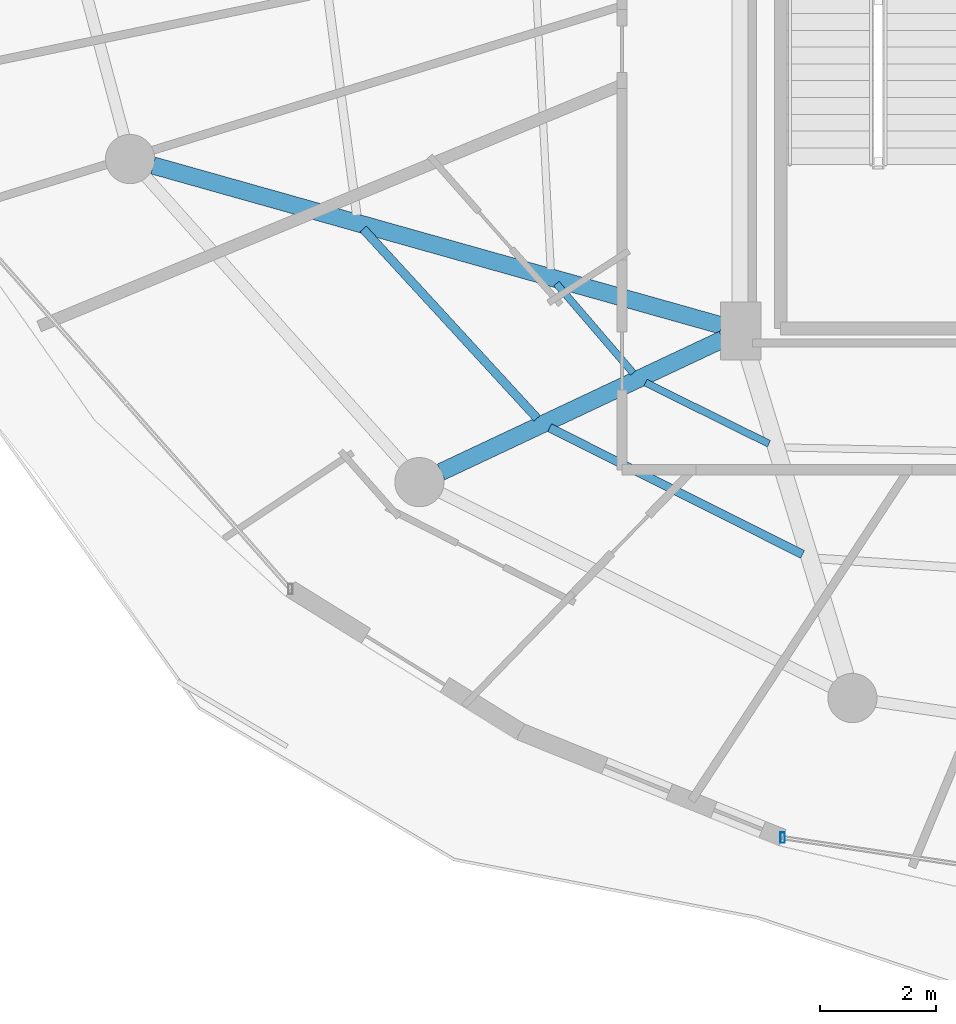
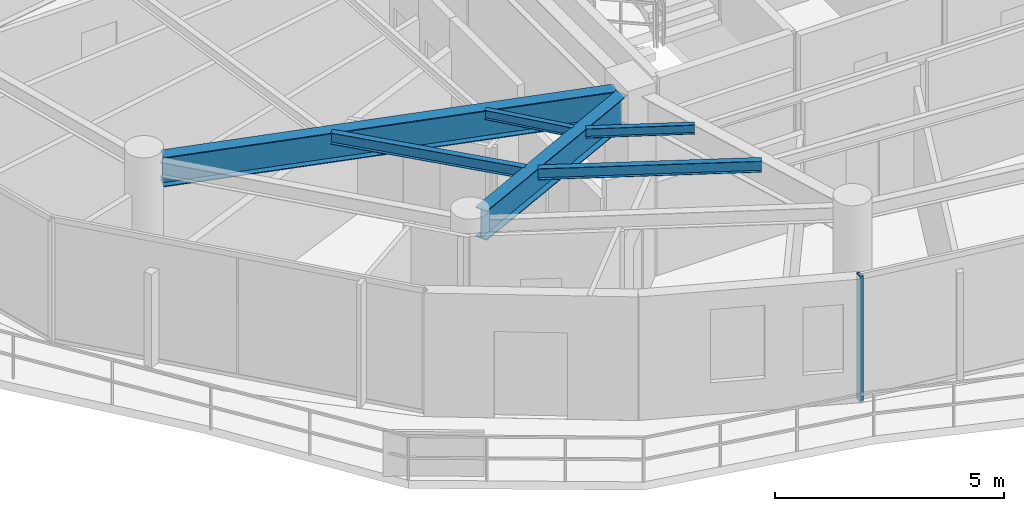
# One storey, part 4 of 31: 6 beams, 1 member, 1 element without a shape of its own.
"""IFC4 building model written with IfcOpenShell, lengths in metres."""

from ifc_helpers import new_model, si_unit, direction, frame, origin, origin_2d, place, context, subcontext, project, spatial, hollow_rectangle, i_section, extrude, material, material_profile, profile_set, type_object, element, aggregate, save


model = new_model("IFC4")

# Units and contexts
model_context = context("Model", 3, precision=1e-05, world=origin(), true_north=direction((0.0, 1.0)))
body_context = subcontext(model_context, "Body", "Model", "MODEL_VIEW")
ifc_project = project(units=[si_unit("LENGTHUNIT", "METRE"), si_unit("AREAUNIT", "SQUARE_METRE"), si_unit("VOLUMEUNIT", "CUBIC_METRE"), si_unit("PLANEANGLEUNIT", "RADIAN"), si_unit("MASSUNIT", "GRAM", prefix="KILO")], contexts=[model_context])

# Site, building, storey
site_placement = place(None, origin())
site = spatial("IfcSite", under=ifc_project, at=site_placement, CompositionType="ELEMENT")
building_placement = place(site_placement, origin())
building = spatial("IfcBuilding", under=site, at=building_placement, Name="Vorneva Point Tower", CompositionType="ELEMENT")
storey_placement = place(building_placement, frame((0.0, 0.0, 244.89990234375)))
storey = spatial("IfcBuildingStorey", under=building, at=storey_placement, Name="L66", CompositionType="ELEMENT", Elevation=244.89990234375)

# Beams
ifc_material_1 = material(Name="Steel S355", Category="steel")
ifc_material_profile_1 = material_profile(ifc_material_1, i_section(OverallWidth=0.300048828125, OverallDepth=0.7880859375, WebThickness=0.014404296875, FlangeThickness=0.02197265625, at=origin_2d()), Name="80Sh1")
ifc_profile_set_1 = profile_set([ifc_material_profile_1], Name="Steel S355")
beam_type_1 = type_object("IfcBeamType", Name="BM-GRD-80Sh1", PredefinedType="USERDEFINED", material=ifc_profile_set_1)
beam_1_placement = place(storey_placement, frame((17.102294921875, 19.305908203125, 2.89599609375), z_axis=(0.962601026021, -0.270922986664, 0.0), x_axis=(0.270922986664, 0.962601026021, 0.0)))
element("IfcBeam", 1, at=beam_1_placement, inside=storey, type_object=beam_type_1, Name="L66 Radial Primary Girder 10", ObjectType="GIRDER", PredefinedType="USERDEFINED", context=body_context, shape_type="SweptSolid", body=[
    extrude(i_section(OverallWidth=0.300048828125, OverallDepth=0.7880859375, WebThickness=0.014404296875, FlangeThickness=0.02197265625, at=origin_2d()), origin(), (0.0, 0.0, 1.0), 10.201904296875),
])
beam_2_placement = place(storey_placement, frame((22.074951171875, 14.013671875, 2.89599609375), z_axis=(0.904750812805, 0.425941271455, 0.0), x_axis=(-0.425941271455, 0.904750812805, 0.0)))
element("IfcBeam", 2, at=beam_2_placement, inside=storey, type_object=beam_type_1, Name="L66 Radial Primary Girder 11", ObjectType="GIRDER", PredefinedType="USERDEFINED", context=body_context, shape_type="SweptSolid", body=[
    extrude(i_section(OverallWidth=0.300048828125, OverallDepth=0.7880859375, WebThickness=0.014404296875, FlangeThickness=0.02197265625, at=origin_2d()), origin(), (0.0, 0.0, 1.0), 5.3798828125),
])
ifc_material_profile_2 = material_profile(ifc_material_1, i_section(OverallWidth=0.1240234375, OverallDepth=0.248046875, WebThickness=0.0048828125, FlangeThickness=0.008056640625, at=origin_2d()), Name="25B1")
ifc_profile_set_2 = profile_set([ifc_material_profile_2], Name="Steel S355")
beam_type_2 = type_object("IfcBeamType", Name="BM-JST-25B1", PredefinedType="JOIST", material=ifc_profile_set_2)
beam_3_placement = place(storey_placement, frame((24.06640625, 17.2666015625, 3.166015625), z_axis=(0.651452972558, -0.758689017019, 0.0), x_axis=(0.758689017019, 0.651452972558, 0.0)))
element("IfcBeam", 3, at=beam_3_placement, inside=storey, type_object=beam_type_2, Name="L66 Secondary Floor Beam 2.10", PredefinedType="JOIST", context=body_context, shape_type="SweptSolid", body=[
    extrude(i_section(OverallWidth=0.1240234375, OverallDepth=0.248046875, WebThickness=0.0048828125, FlangeThickness=0.008056640625, at=origin_2d()), origin(), (0.0, 0.0, 1.0), 2.035400390625),
])
beam_4_placement = place(storey_placement, frame((25.605712890625, 15.556396484375, 3.166015625), z_axis=(0.896082897708, -0.443886742803, 0.0), x_axis=(0.443886742803, 0.896082897708, 0.0)))
element("IfcBeam", 4, at=beam_4_placement, inside=storey, type_object=beam_type_2, Name="L66 Secondary Floor Beam 2.11", PredefinedType="JOIST", context=body_context, shape_type="SweptSolid", body=[
    extrude(i_section(OverallWidth=0.1240234375, OverallDepth=0.248046875, WebThickness=0.0048828125, FlangeThickness=0.008056640625, at=origin_2d()), origin(), (0.0, 0.0, 1.0), 2.3798828125),
])
ifc_material_profile_3 = material_profile(ifc_material_1, i_section(OverallWidth=0.14892578125, OverallDepth=0.298095703125, WebThickness=0.005615234375, FlangeThickness=0.008056640625, at=origin_2d()), Name="30B1")
ifc_profile_set_3 = profile_set([ifc_material_profile_3], Name="Steel S355")
beam_type_3 = type_object("IfcBeamType", Name="BM-JST-30B1", PredefinedType="JOIST", material=ifc_profile_set_3)
beam_5_placement = place(storey_placement, frame((20.73095703125, 18.209228515625, 3.14111328125), z_axis=(0.676496329172, -0.736446003871, 0.0), x_axis=(0.736446003871, 0.676496329172, 0.0)))
element("IfcBeam", 5, at=beam_5_placement, inside=storey, type_object=beam_type_3, Name="L66 Secondary Floor Beam 1.10", PredefinedType="JOIST", context=body_context, shape_type="SweptSolid", body=[
    extrude(i_section(OverallWidth=0.14892578125, OverallDepth=0.298095703125, WebThickness=0.005615234375, FlangeThickness=0.008056640625, at=origin_2d()), origin(), (0.0, 0.0, 1.0), 4.43896484375),
])
beam_6_placement = place(storey_placement, frame((23.95068359375, 14.77685546875, 3.14111328125), z_axis=(0.894207228659, -0.447653249975, 0.0), x_axis=(0.447653249975, 0.894207228659, 0.0)))
element("IfcBeam", 6, at=beam_6_placement, inside=storey, type_object=beam_type_3, Name="L66 Secondary Floor Beam 1.11", PredefinedType="JOIST", context=body_context, shape_type="SweptSolid", body=[
    extrude(i_section(OverallWidth=0.14892578125, OverallDepth=0.298095703125, WebThickness=0.005615234375, FlangeThickness=0.008056640625, at=origin_2d()), origin(), (0.0, 0.0, 1.0), 4.885986328125),
])

# Curtain wall, member
ifc_material_2 = material(Name="Pale anodised aluminium", Category="aluminium")
curtain_wall_type = type_object("IfcCurtainWallType", Name="CW-RES-SYS", PredefinedType="NOTDEFINED", material=ifc_material_2)
curtain_wall_placement = place(storey_placement, origin())
curtain_wall = element("IfcCurtainWall", 7, at=curtain_wall_placement, inside=storey, type_object=curtain_wall_type, Name="L66 Unitised Curtain Wall CW-L66-R04", PredefinedType="NOTDEFINED")
ifc_material_profile_4 = material_profile(ifc_material_2, hollow_rectangle(XDim=0.074951171875, YDim=0.179931640625, WallThickness=0.00390625, at=origin_2d()), Name="AL-MUL 180x75x4")
ifc_profile_set_4 = profile_set([ifc_material_profile_4], Name="Pale anodised aluminium")
member_type = type_object("IfcMemberType", Name="CW-MUL-180", PredefinedType="MULLION", material=ifc_profile_set_4)
member_placement = place(storey_placement, frame((27.9736328125, 7.697998046875, -0.039794921875), z_axis=(0.0, 0.0, 1.0), x_axis=(1.0, 0.0, 0.0)))
member = element("IfcMember", 8, at=member_placement, type_object=member_type, Name="CW-L66-R04 Mullion 01", PredefinedType="MULLION", context=body_context, shape_type="SweptSolid", body=[
    extrude(hollow_rectangle(XDim=0.074951171875, YDim=0.179931640625, WallThickness=0.00390625, at=origin_2d()), origin(), (0.0, 0.0, 1.0), 3.35986328125),
])
aggregate(curtain_wall, [member])

save(model, "model.ifc")
